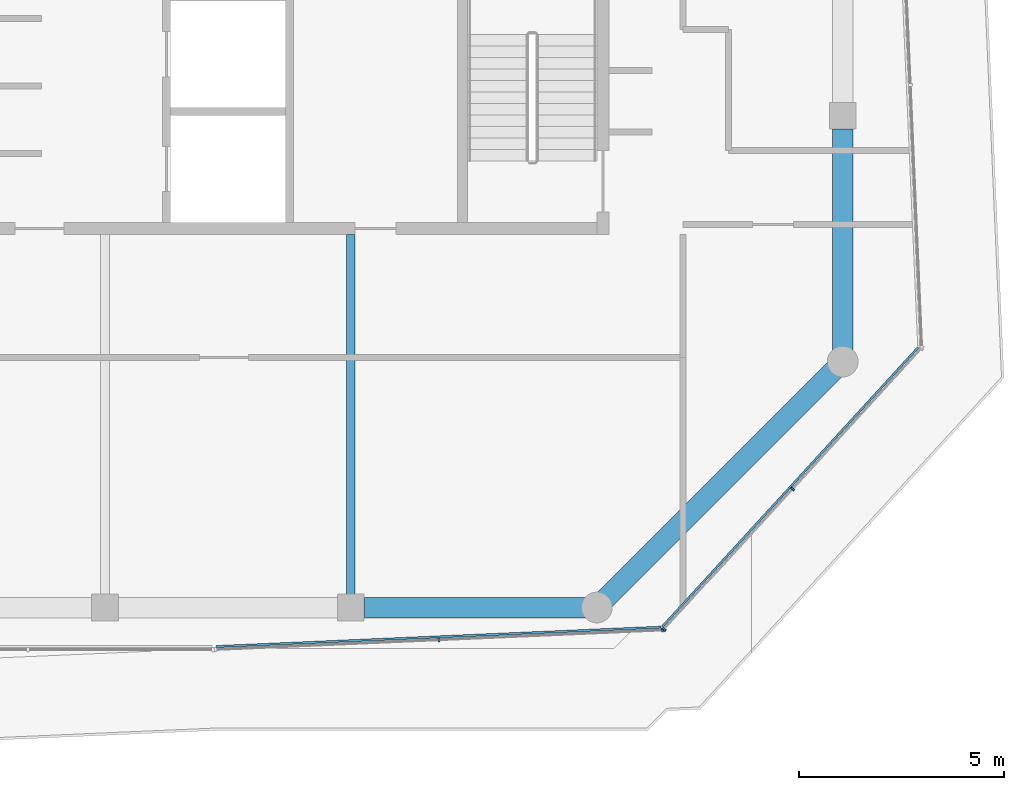
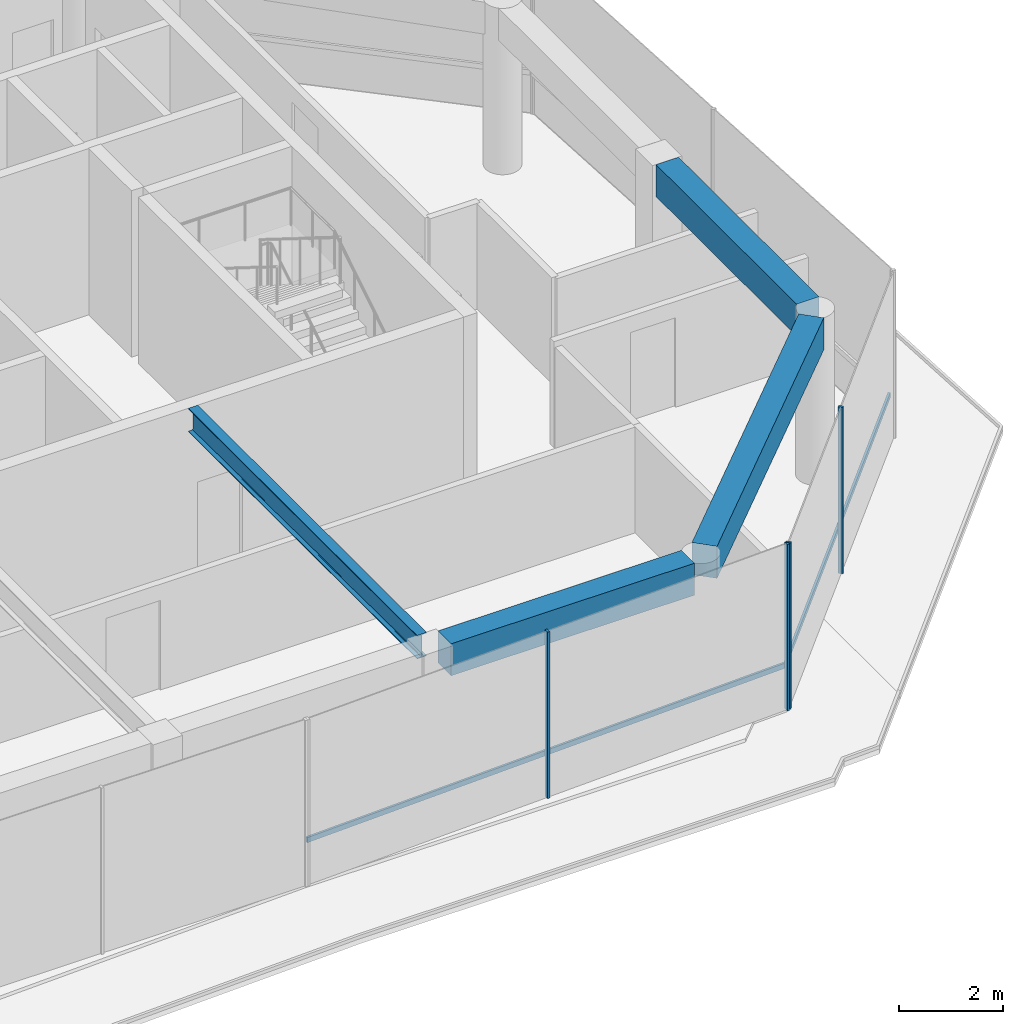
# One storey, part 3 of 19: 6 members, 4 beams, 2 elements without a shape of their own.
"""IFC4 building model written with IfcOpenShell, lengths in metres."""

from ifc_helpers import new_model, si_unit, direction, frame, origin, origin_2d, place, context, subcontext, project, spatial, rectangle, i_section, extrude, material, layer, layer_set, material_profile, profile_set, type_object, element, aggregate, save


model = new_model("IFC4")

# Units and contexts
model_context = context("Model", 3, precision=1e-05, world=origin(), true_north=direction((0.0, 1.0)))
body_context = subcontext(model_context, "Body", "Model", "MODEL_VIEW")
ifc_project = project(units=[si_unit("LENGTHUNIT", "METRE"), si_unit("AREAUNIT", "SQUARE_METRE"), si_unit("VOLUMEUNIT", "CUBIC_METRE"), si_unit("PLANEANGLEUNIT", "RADIAN"), si_unit("MASSUNIT", "GRAM", prefix="KILO")], contexts=[model_context])

# Site, building, storey
site_placement = place(None, origin())
site = spatial("IfcSite", under=ifc_project, at=site_placement, CompositionType="ELEMENT")
building_placement = place(site_placement, origin())
building = spatial("IfcBuilding", under=site, at=building_placement, Name="Welwitschia Terrace Campus", CompositionType="ELEMENT")
storey_placement = place(building_placement, frame((0.0, 0.0, 323.0)))
storey = spatial("IfcBuildingStorey", under=building, at=storey_placement, Name="L72", CompositionType="ELEMENT", Elevation=323.0)

# Beam
ifc_material_1 = material(Name="Steel S355", Category="steel")
ifc_material_profile_1 = material_profile(ifc_material_1, i_section(OverallWidth=0.2099609375, OverallDepth=0.550048828125, WebThickness=0.010986328125, FlangeThickness=0.01708984375, FilletRadius=0.02392578125, at=origin_2d()))
ifc_profile_set_1 = profile_set([ifc_material_profile_1], Name="Steel S355")
beam_type_1 = type_object("IfcBeamType", Name="Interior girder IPE 550", PredefinedType="BEAM", material=ifc_profile_set_1)
beam_1_placement = place(storey_placement, frame((18.0, -3.6845703125, 3.625), z_axis=(0.0, 1.0, 0.0), x_axis=(-1.0, 0.0, 0.0)))
element("IfcBeam", 1, at=beam_1_placement, inside=storey, type_object=beam_type_1, Name="Girder GB7", PredefinedType="BEAM", context=body_context, shape_type="SweptSolid", body=[
    extrude(i_section(OverallWidth=0.2099609375, OverallDepth=0.550048828125, WebThickness=0.010986328125, FlangeThickness=0.01708984375, FilletRadius=0.02392578125, at=origin_2d()), origin(), (0.0, 0.0, 1.0), 8.78369140625),
])

# Curtain wall, members
ifc_material_2 = material(Name="Bronze anodised aluminium", Category="aluminium")
ifc_layer = layer(ifc_material_2, 0.10009765625)
ifc_layer_set = layer_set([ifc_layer], Name="Bronze anodised aluminium")
curtain_wall_type = type_object("IfcCurtainWallType", Name="Curtain wall CW5 crown 6000", PredefinedType="NOTDEFINED", material=ifc_layer_set)
curtain_wall_1_placement = place(storey_placement, origin())
curtain_wall_1 = element("IfcCurtainWall", 2, at=curtain_wall_1_placement, inside=storey, type_object=curtain_wall_type, Name="CW L72.2.0", PredefinedType="NOTDEFINED")
ifc_material_3 = material(Name="Bronze anodised aluminium", Category="aluminium")
ifc_material_profile_2 = material_profile(ifc_material_3, rectangle(XDim=0.10009765625, YDim=0.050048828125, at=origin_2d()))
ifc_profile_set_2 = profile_set([ifc_material_profile_2], Name="Bronze anodised aluminium")
member_type_1 = type_object("IfcMemberType", Name="Mullion 50x100", PredefinedType="MULLION", material=ifc_profile_set_2)
member_1_placement = place(storey_placement, frame((20.14453125, -4.790771484375, 0.0), z_axis=(0.0, 0.0, 1.0), x_axis=(-0.043619387365, 0.999048221582, 0.0)))
member_1 = element("IfcMember", 3, at=member_1_placement, type_object=member_type_1, Name="Mullion L72.2.0.1", PredefinedType="MULLION", context=body_context, shape_type="SweptSolid", body=[
    extrude(rectangle(XDim=0.10009765625, YDim=0.050048828125, at=origin_2d()), origin(), (0.0, 0.0, 1.0), 3.89990234375),
])
member_2_placement = place(storey_placement, frame((25.59814453125, -4.552734375, 0.0), z_axis=(0.0, 0.0, 1.0), x_axis=(-0.043619387365, 0.999048221582, 0.0)))
member_2 = element("IfcMember", 4, at=member_2_placement, type_object=member_type_1, Name="Mullion L72.2.0.2", PredefinedType="MULLION", context=body_context, shape_type="SweptSolid", body=[
    extrude(rectangle(XDim=0.10009765625, YDim=0.050048828125, at=origin_2d()), origin(), (0.0, 0.0, 1.0), 3.89990234375),
])

curtain_wall_2_placement = place(storey_placement, origin())
curtain_wall_2 = element("IfcCurtainWall", 5, at=curtain_wall_2_placement, inside=storey, type_object=curtain_wall_type, Name="CW L72.3.0", PredefinedType="NOTDEFINED")
member_3_placement = place(storey_placement, frame((25.639892578125, -4.533203125, 0.0), z_axis=(0.0, 0.0, 1.0), x_axis=(-0.73727733681, 0.675590207616, 0.0)))
member_3 = element("IfcMember", 6, at=member_3_placement, type_object=member_type_1, Name="Mullion L72.3.0.0", PredefinedType="MULLION", context=body_context, shape_type="SweptSolid", body=[
    extrude(rectangle(XDim=0.10009765625, YDim=0.050048828125, at=origin_2d()), origin(), (0.0, 0.0, 1.0), 3.89990234375),
])
member_4_placement = place(storey_placement, frame((28.777587890625, -1.109130859375, 0.0), z_axis=(0.0, 0.0, 1.0), x_axis=(-0.73727733681, 0.675590207616, 0.0)))
member_4 = element("IfcMember", 7, at=member_4_placement, type_object=member_type_1, Name="Mullion L72.3.0.1", PredefinedType="MULLION", context=body_context, shape_type="SweptSolid", body=[
    extrude(rectangle(XDim=0.10009765625, YDim=0.050048828125, at=origin_2d()), origin(), (0.0, 0.0, 1.0), 3.89990234375),
])

# Beams
ifc_material_4 = material(Name="Concrete C40/50", Category="concrete")
ifc_material_profile_3 = material_profile(ifc_material_4, rectangle(XDim=0.5, YDim=0.75, at=origin_2d()))
ifc_profile_set_3 = profile_set([ifc_material_profile_3], Name="Concrete C40/50")
beam_type_2 = type_object("IfcBeamType", Name="Ring spandrel 500x750", PredefinedType="SPANDREL", material=ifc_profile_set_3)
beam_2_placement = place(storey_placement, frame((18.325439453125, -4.0, 3.52490234375), z_axis=(1.0, 0.0, 0.0), x_axis=(0.0, 1.0, 0.0)))
element("IfcBeam", 8, at=beam_2_placement, inside=storey, type_object=beam_type_2, Name="Spandrel SP5", PredefinedType="SPANDREL", context=body_context, shape_type="SweptSolid", body=[
    extrude(rectangle(XDim=0.5, YDim=0.75, at=origin_2d()), origin(), (0.0, 0.0, 1.0), 5.39404296875),
])
beam_3_placement = place(storey_placement, frame((24.1982421875, -3.8017578125, 3.52490234375), z_axis=(0.707106781187, 0.707106781187, 0.0), x_axis=(-0.707106781187, 0.707106781187, 0.0)))
element("IfcBeam", 9, at=beam_3_placement, inside=storey, type_object=beam_type_2, Name="Spandrel SP5", PredefinedType="SPANDREL", context=body_context, shape_type="SweptSolid", body=[
    extrude(rectangle(XDim=0.5, YDim=0.75, at=origin_2d()), origin(), (0.0, 0.0, 1.0), 7.924560546875),
])
beam_4_placement = place(storey_placement, frame((30.0, 2.280517578125, 3.52490234375), z_axis=(0.0, 1.0, 0.0), x_axis=(-1.0, 0.0, 0.0)))
element("IfcBeam", 10, at=beam_4_placement, inside=storey, type_object=beam_type_2, Name="Spandrel SP5", PredefinedType="SPANDREL", context=body_context, shape_type="SweptSolid", body=[
    extrude(rectangle(XDim=0.5, YDim=0.75, at=origin_2d()), origin(), (0.0, 0.0, 1.0), 5.39404296875),
])

# Member
ifc_material_5 = material(Name="Bronze anodised aluminium", Category="aluminium")
ifc_material_profile_4 = material_profile(ifc_material_5, rectangle(XDim=0.050048828125, YDim=0.1201171875, at=origin_2d()))
ifc_profile_set_4 = profile_set([ifc_material_profile_4], Name="Bronze anodised aluminium")
member_type_2 = type_object("IfcMemberType", Name="Transom 50x120", PredefinedType="USERDEFINED", material=ifc_profile_set_4)
member_5_placement = place(storey_placement, frame((14.71240234375, -4.952880859375, 1.0), z_axis=(0.999047917544, 0.04362635042, 0.0), x_axis=(-0.04362635042, 0.999047917544, 0.0)))
member_5 = element("IfcMember", 11, at=member_5_placement, type_object=member_type_2, Name="Transom L72.2.0", ObjectType="TRANSOM", PredefinedType="USERDEFINED", context=body_context, shape_type="SweptSolid", body=[
    extrude(rectangle(XDim=0.050048828125, YDim=0.1201171875, at=origin_2d()), origin(), (0.0, 0.0, 1.0), 10.86767578125),
])

aggregate(curtain_wall_1, [member_1, member_2, member_5])

member_6_placement = place(storey_placement, frame((25.6015625, -4.464111328125, 1.0), z_axis=(0.67558101774, 0.737285757674, 0.0), x_axis=(-0.737285757674, 0.67558101774, 0.0)))
member_6 = element("IfcMember", 12, at=member_6_placement, type_object=member_type_2, Name="Transom L72.3.0", ObjectType="TRANSOM", PredefinedType="USERDEFINED", context=body_context, shape_type="SweptSolid", body=[
    extrude(rectangle(XDim=0.050048828125, YDim=0.1201171875, at=origin_2d()), origin(), (0.0, 0.0, 1.0), 9.23876953125),
])

aggregate(curtain_wall_2, [member_3, member_4, member_6])

save(model, "model.ifc")
